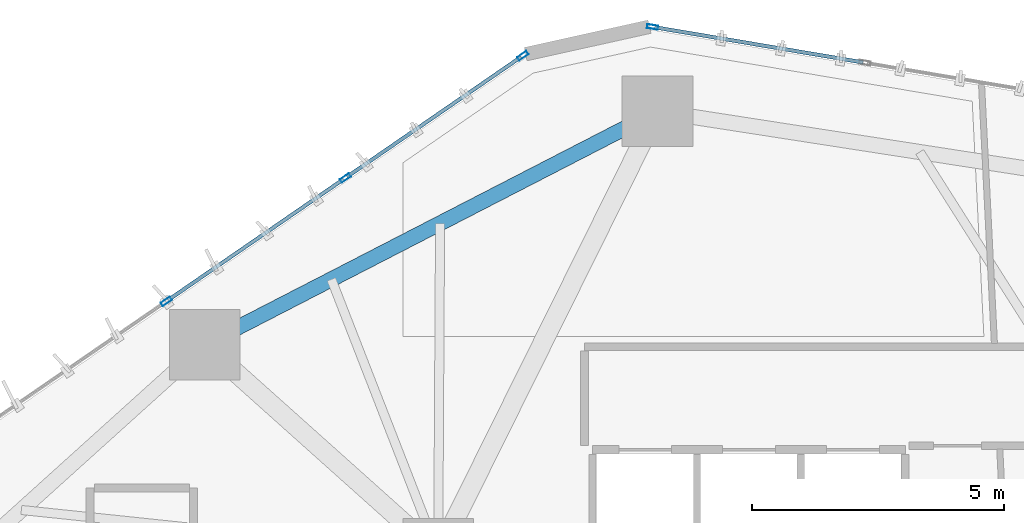
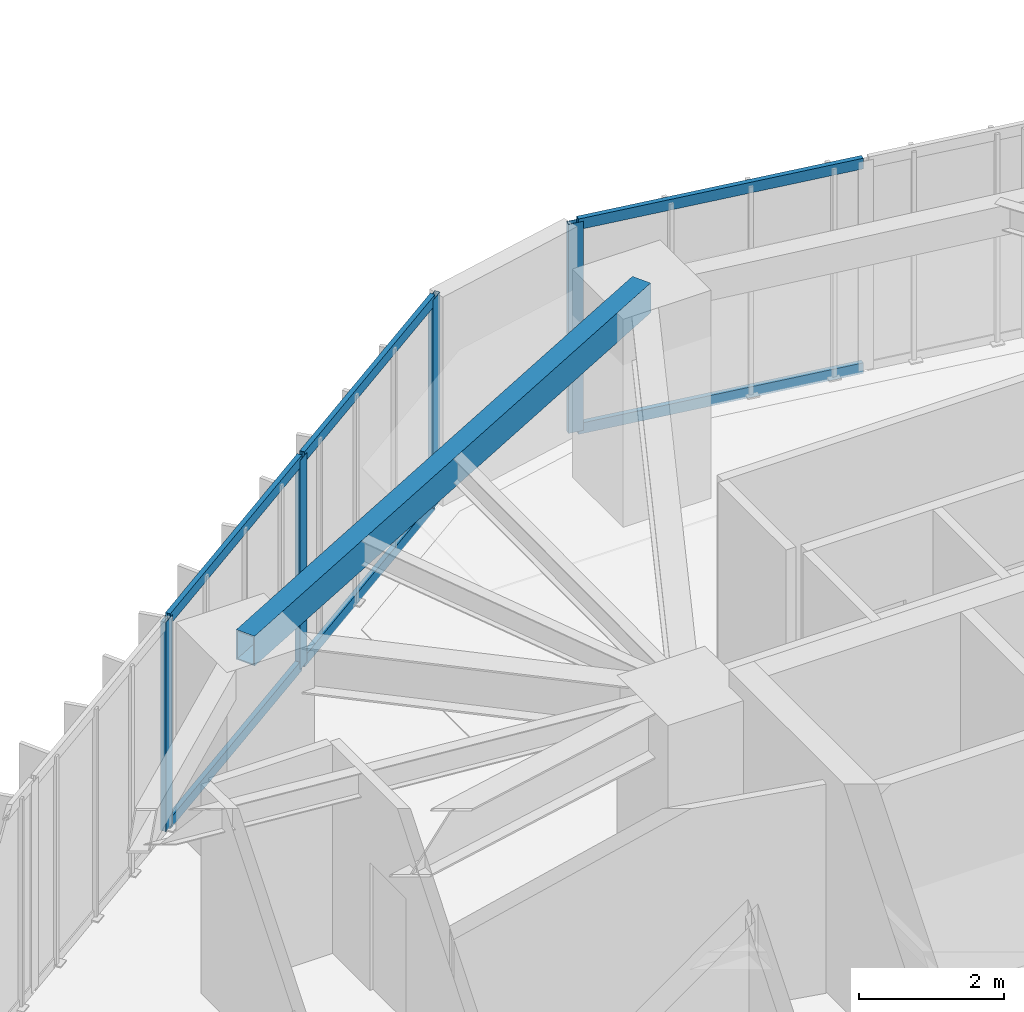
# One storey, part 13 of 21: 10 members, 1 beam, 2 elements without a shape of their own.
"""IFC4 building model written with IfcOpenShell, lengths in metres."""

from ifc_helpers import new_model, si_unit, direction, frame, origin, origin_2d, place, context, subcontext, project, spatial, hollow_rectangle, extrude, source, transform, mapped, material, layer, layer_set, material_profile, profile_set, type_object, type_shapes, element, aggregate, save


model = new_model("IFC4")

# Units and contexts
model_context = context("Model", 3, precision=1e-05, world=origin(), true_north=direction((0.0, 1.0)))
body_context = subcontext(model_context, "Body", "Model", "MODEL_VIEW")
ifc_project = project(units=[si_unit("LENGTHUNIT", "METRE"), si_unit("AREAUNIT", "SQUARE_METRE"), si_unit("VOLUMEUNIT", "CUBIC_METRE"), si_unit("PLANEANGLEUNIT", "RADIAN"), si_unit("MASSUNIT", "GRAM", prefix="KILO")], contexts=[model_context])

# Site, building, storey
site_placement = place(None, origin())
site = spatial("IfcSite", under=ifc_project, at=site_placement, CompositionType="ELEMENT")
building_placement = place(site_placement, origin())
building = spatial("IfcBuilding", under=site, at=building_placement, Name="Talar Marvaseh", CompositionType="ELEMENT")
storey_placement = place(building_placement, frame((0.0, 0.0, 62.0)))
storey = spatial("IfcBuildingStorey", under=building, at=storey_placement, Name="L15", CompositionType="ELEMENT", Elevation=62.0)

# Beam
ifc_material_1 = material(Name="Steel S355", Category="steel")
ifc_material_profile_1 = material_profile(ifc_material_1, hollow_rectangle(XDim=0.300048828125, YDim=0.5, WallThickness=0.02001953125, at=origin_2d()), Name="RHS500x300x20")
ifc_profile_set_1 = profile_set([ifc_material_profile_1], Name="Steel S355")
beam_type = type_object("IfcBeamType", Name="Zone 1 Perimeter Spandrel Beam RHS500x300x20", PredefinedType="SPANDREL", material=ifc_profile_set_1)
beam_placement = place(storey_placement, frame((14.069091796875, 41.04296875, 3.27001953125), z_axis=(0.889015710182, 0.457876694155, 0.0), x_axis=(-0.457876694155, 0.889015710182, 0.0)))
element("IfcBeam", 1, at=beam_placement, inside=storey, type_object=beam_type, Name="L15 Zone 1 Perimeter Spandrel Beam RHS500x300x20", PredefinedType="SPANDREL", context=body_context, shape_type="SweptSolid", body=[
    extrude(hollow_rectangle(XDim=0.300048828125, YDim=0.5, WallThickness=0.02001953125, at=origin_2d()), origin(), (0.0, 0.0, 1.0), 10.098876953125),
])

# Curtain wall, members
ifc_material_2 = material(Name="Architectural Aluminium", Category="aluminium")
ifc_layer = layer(ifc_material_2, 0.219970703125)
ifc_layer_set = layer_set([ifc_layer], Name="Architectural Aluminium")
curtain_wall_type = type_object("IfcCurtainWallType", Name="Unitised Low-E Museum Curtain Wall Z1", PredefinedType="NOTDEFINED", material=ifc_layer_set)
curtain_wall_1_placement = place(storey_placement, origin())
curtain_wall_1 = element("IfcCurtainWall", 2, at=curtain_wall_1_placement, inside=storey, type_object=curtain_wall_type, Name="L15 Unitised Low-E Museum Curtain Wall Z1", PredefinedType="NOTDEFINED")
ifc_material_profile_2 = material_profile(ifc_material_2, hollow_rectangle(XDim=0.080078125, YDim=0.219970703125, WallThickness=0.0048828125, at=origin_2d()), Name="RHS220x80x5")
ifc_profile_set_2 = profile_set([ifc_material_profile_2], Name="Architectural Aluminium")
member_type_1 = type_object("IfcMemberType", Name="Unitised Curtain Wall Heavy Mullion RHS220x80x5", PredefinedType="MULLION", material=ifc_profile_set_2)
shared_shape_1 = source(origin(), body_context, "Body", "SweptSolid", [
    extrude(hollow_rectangle(XDim=0.080078125, YDim=0.219970703125, WallThickness=0.0048828125, at=origin_2d()), origin(), (0.0, 0.0, 1.0), 3.52001953125),
])
type_shapes(member_type_1, [shared_shape_1])
member_1_placement = place(storey_placement, frame((13.309814453125, 41.900390625, 0.0), z_axis=(0.0, 0.0, 1.0), x_axis=(-0.567383348188, 0.823453785102, 0.0)))
member_1 = element("IfcMember", 3, at=member_1_placement, type_object=member_type_1, Name="CW-Z1 mullion 3", PredefinedType="MULLION", context=body_context, shape_type="MappedRepresentation", body=[
    mapped(shared_shape_1, transform((0.0, 0.0, 0.0), x_axis=(1.0, 0.0, 0.0), y_axis=(0.0, 1.0, 0.0), z_axis=(0.0, 0.0, 1.0), scale=1.0)),
])
member_2_placement = place(storey_placement, frame((16.860595703125, 44.3466796875, 0.0), z_axis=(0.0, 0.0, 1.0), x_axis=(-0.567383348188, 0.823453785102, 0.0)))
member_2 = element("IfcMember", 4, at=member_2_placement, type_object=member_type_1, Name="CW-Z1 mullion 4", PredefinedType="MULLION", context=body_context, shape_type="MappedRepresentation", body=[
    mapped(shared_shape_1, transform((0.0, 0.0, 0.0), x_axis=(1.0, 0.0, 0.0), y_axis=(0.0, 1.0, 0.0), z_axis=(0.0, 0.0, 1.0), scale=1.0)),
])
member_3_placement = place(storey_placement, frame((20.378173828125, 46.7705078125, 0.0), z_axis=(0.0, 0.0, 1.0), x_axis=(-0.567383348188, 0.823453785102, 0.0)))
member_3 = element("IfcMember", 5, at=member_3_placement, type_object=member_type_1, Name="CW-Z1 mullion 5", PredefinedType="MULLION", context=body_context, shape_type="MappedRepresentation", body=[
    mapped(shared_shape_1, transform((0.0, 0.0, 0.0), x_axis=(1.0, 0.0, 0.0), y_axis=(0.0, 1.0, 0.0), z_axis=(0.0, 0.0, 1.0), scale=1.0)),
])

curtain_wall_2_placement = place(storey_placement, origin())
curtain_wall_2 = element("IfcCurtainWall", 6, at=curtain_wall_2_placement, inside=storey, type_object=curtain_wall_type, Name="L15 Unitised Low-E Museum Curtain Wall Z1", PredefinedType="NOTDEFINED")
member_4_placement = place(storey_placement, frame((22.950927734375, 47.341064453125, 0.0), z_axis=(0.0, 0.0, 1.0), x_axis=(0.166215185742, 0.98608950508, 0.0)))
member_4 = element("IfcMember", 7, at=member_4_placement, type_object=member_type_1, Name="CW-Z1 mullion 1", PredefinedType="MULLION", context=body_context, shape_type="MappedRepresentation", body=[
    mapped(shared_shape_1, transform((0.0, 0.0, 0.0), x_axis=(1.0, 0.0, 0.0), y_axis=(0.0, 1.0, 0.0), z_axis=(0.0, 0.0, 1.0), scale=1.0)),
])
ifc_material_profile_3 = material_profile(ifc_material_2, hollow_rectangle(XDim=0.074951171875, YDim=0.179931640625, WallThickness=0.0048828125, at=origin_2d()), Name="RHS180x75x5")
ifc_profile_set_3 = profile_set([ifc_material_profile_3], Name="Architectural Aluminium")
member_type_2 = type_object("IfcMemberType", Name="Unitised Curtain Wall Transom RHS180x75x5", PredefinedType="USERDEFINED", material=ifc_profile_set_3)
shared_shape_2 = source(origin(), body_context, "Body", "SweptSolid", [
    extrude(hollow_rectangle(XDim=0.074951171875, YDim=0.179931640625, WallThickness=0.0048828125, at=origin_2d()), origin(), (0.0, 0.0, 1.0), 4.19189453125),
])
member_5_placement = place(storey_placement, frame((22.990478515625, 47.334228515625, 0.03759765625), z_axis=(0.986088438856, -0.166221511104, 0.0), x_axis=(0.166221511104, 0.986088438856, 0.0)))
member_5 = element("IfcMember", 8, at=member_5_placement, type_object=member_type_2, Name="CW-Z1 transom 1.1", ObjectType="TRANSOM", PredefinedType="USERDEFINED", context=body_context, shape_type="MappedRepresentation", body=[
    mapped(shared_shape_2, transform((0.0, 0.0, 0.0), x_axis=(1.0, 0.0, 0.0), y_axis=(0.0, 1.0, 0.0), z_axis=(0.0, 0.0, 1.0), scale=1.0)),
])
member_6_placement = place(storey_placement, frame((22.990478515625, 47.334228515625, 3.482421875), z_axis=(0.986088438856, -0.166221511104, 0.0), x_axis=(0.166221511104, 0.986088438856, 0.0)))
member_6 = element("IfcMember", 9, at=member_6_placement, type_object=member_type_2, Name="CW-Z1 transom 1.2", ObjectType="TRANSOM", PredefinedType="USERDEFINED", context=body_context, shape_type="MappedRepresentation", body=[
    mapped(shared_shape_2, transform((0.0, 0.0, 0.0), x_axis=(1.0, 0.0, 0.0), y_axis=(0.0, 1.0, 0.0), z_axis=(0.0, 0.0, 1.0), scale=1.0)),
])
aggregate(curtain_wall_2, [member_4, member_5, member_6])

# Member
shared_shape_3 = source(origin(), body_context, "Body", "SweptSolid", [
    extrude(hollow_rectangle(XDim=0.074951171875, YDim=0.179931640625, WallThickness=0.0048828125, at=origin_2d()), origin(), (0.0, 0.0, 1.0), 4.23193359375),
])
member_7_placement = place(storey_placement, frame((13.3427734375, 41.923095703125, 0.03759765625), z_axis=(0.823459085545, 0.567375655481, 0.0), x_axis=(-0.567375655481, 0.823459085545, 0.0)))
member_7 = element("IfcMember", 10, at=member_7_placement, type_object=member_type_2, Name="CW-Z1 transom 3.1", ObjectType="TRANSOM", PredefinedType="USERDEFINED", context=body_context, shape_type="MappedRepresentation", body=[
    mapped(shared_shape_3, transform((0.0, 0.0, 0.0), x_axis=(1.0, 0.0, 0.0), y_axis=(0.0, 1.0, 0.0), z_axis=(0.0, 0.0, 1.0), scale=1.0)),
])

member_8_placement = place(storey_placement, frame((13.3427734375, 41.923095703125, 3.482421875), z_axis=(0.823459085545, 0.567375655481, 0.0), x_axis=(-0.567375655481, 0.823459085545, 0.0)))
member_8 = element("IfcMember", 11, at=member_8_placement, type_object=member_type_2, Name="CW-Z1 transom 3.2", ObjectType="TRANSOM", PredefinedType="USERDEFINED", context=body_context, shape_type="MappedRepresentation", body=[
    mapped(shared_shape_3, transform((0.0, 0.0, 0.0), x_axis=(1.0, 0.0, 0.0), y_axis=(0.0, 1.0, 0.0), z_axis=(0.0, 0.0, 1.0), scale=1.0)),
])

shared_shape_4 = source(origin(), body_context, "Body", "SweptSolid", [
    extrude(hollow_rectangle(XDim=0.074951171875, YDim=0.179931640625, WallThickness=0.0048828125, at=origin_2d()), origin(), (0.0, 0.0, 1.0), 4.191650390625),
])
type_shapes(member_type_2, [shared_shape_2, shared_shape_3, shared_shape_4])
member_9_placement = place(storey_placement, frame((16.8935546875, 44.369384765625, 0.03759765625), z_axis=(0.82343987251, 0.567403539256, 0.0), x_axis=(-0.567403539256, 0.82343987251, 0.0)))
member_9 = element("IfcMember", 12, at=member_9_placement, type_object=member_type_2, Name="CW-Z1 transom 4.1", ObjectType="TRANSOM", PredefinedType="USERDEFINED", context=body_context, shape_type="MappedRepresentation", body=[
    mapped(shared_shape_4, transform((0.0, 0.0, 0.0), x_axis=(1.0, 0.0, 0.0), y_axis=(0.0, 1.0, 0.0), z_axis=(0.0, 0.0, 1.0), scale=1.0)),
])

member_10_placement = place(storey_placement, frame((16.8935546875, 44.369384765625, 3.482421875), z_axis=(0.82343987251, 0.567403539256, 0.0), x_axis=(-0.567403539256, 0.82343987251, 0.0)))
member_10 = element("IfcMember", 13, at=member_10_placement, type_object=member_type_2, Name="CW-Z1 transom 4.2", ObjectType="TRANSOM", PredefinedType="USERDEFINED", context=body_context, shape_type="MappedRepresentation", body=[
    mapped(shared_shape_4, transform((0.0, 0.0, 0.0), x_axis=(1.0, 0.0, 0.0), y_axis=(0.0, 1.0, 0.0), z_axis=(0.0, 0.0, 1.0), scale=1.0)),
])

aggregate(curtain_wall_1, [member_1, member_2, member_3, member_7, member_8, member_9, member_10])

save(model, "model.ifc")
